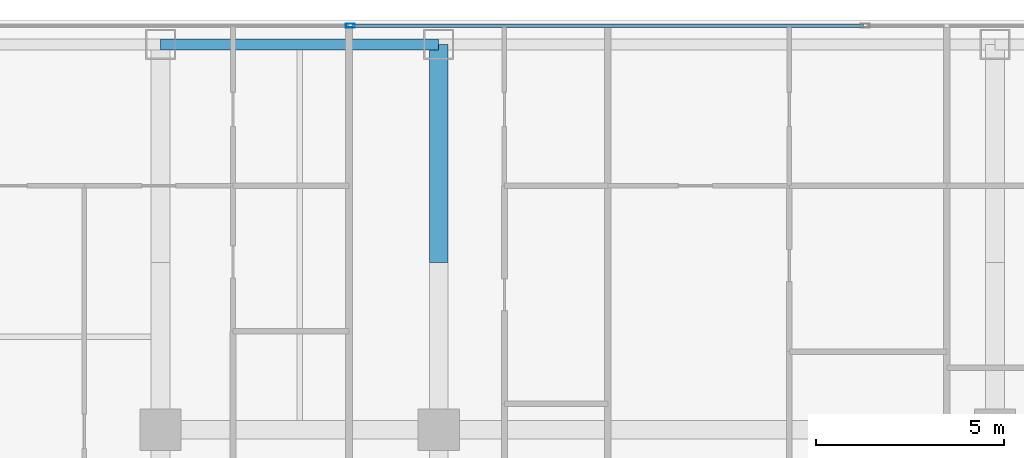
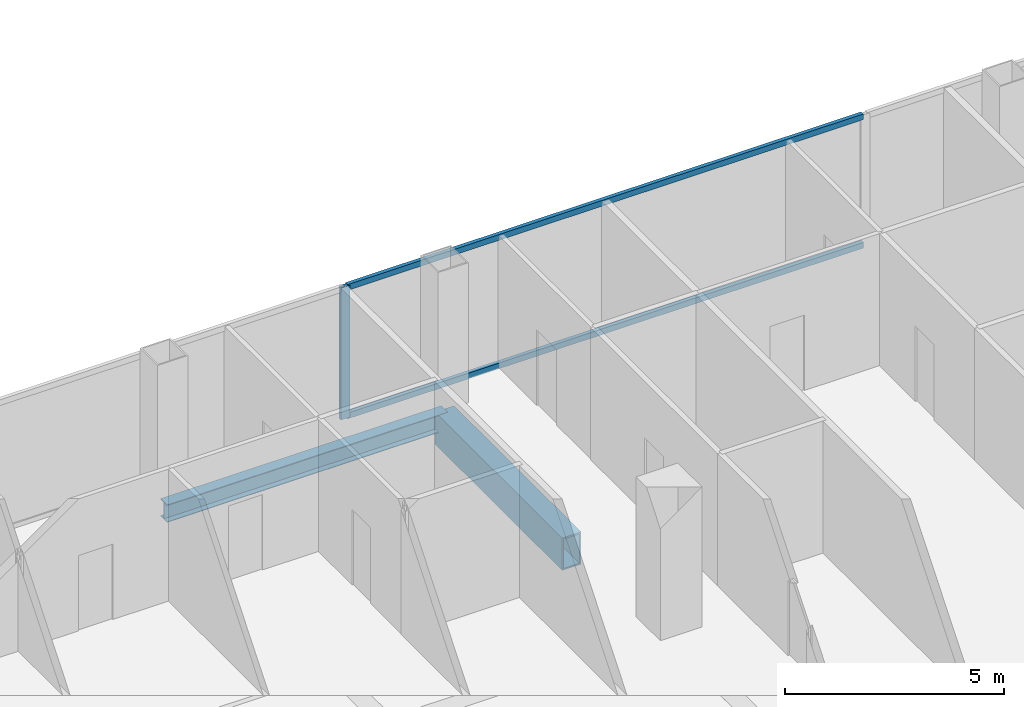
# One storey, part 12 of 29: 3 members, 2 beams, 1 element without a shape of its own.
"""IFC4 building model written with IfcOpenShell, lengths in metres."""

from ifc_helpers import new_model, si_unit, direction, frame, origin, origin_2d, place, context, subcontext, project, spatial, hollow_rectangle, i_section, extrude, material, layer, layer_set, material_profile, profile_set, type_object, element, aggregate, save


model = new_model("IFC4")

# Units and contexts
model_context = context("Model", 3, precision=1e-05, world=origin(), true_north=direction((0.0, 1.0)))
body_context = subcontext(model_context, "Body", "Model", "MODEL_VIEW")
ifc_project = project(units=[si_unit("LENGTHUNIT", "METRE"), si_unit("AREAUNIT", "SQUARE_METRE"), si_unit("VOLUMEUNIT", "CUBIC_METRE"), si_unit("PLANEANGLEUNIT", "RADIAN"), si_unit("MASSUNIT", "GRAM", prefix="KILO")], contexts=[model_context])

# Site, building, storey
site_placement = place(None, origin())
site = spatial("IfcSite", under=ifc_project, at=site_placement, CompositionType="ELEMENT")
building_placement = place(site_placement, origin())
building = spatial("IfcBuilding", under=site, at=building_placement, Name="Khorvyn Point Tower", CompositionType="ELEMENT")
storey_placement = place(building_placement, frame((0.0, 0.0, 85.199951171875)))
storey = spatial("IfcBuildingStorey", under=building, at=storey_placement, Name="L21", CompositionType="ELEMENT", Elevation=85.199951171875)

# Curtain wall, members
ifc_material_1 = material(Name="Anodised aluminium 6063-T6 and laminated Low-E glass", Category="aluminium")
ifc_layer = layer(ifc_material_1, 0.18994140625)
ifc_layer_set = layer_set([ifc_layer], Name="Stick-Built Finned Residential Curtain Wall CW-SYS-02")
curtain_wall_type = type_object("IfcCurtainWallType", Name="Stick-Built Finned Residential Curtain Wall CW-SYS-02", PredefinedType="NOTDEFINED", material=ifc_layer_set)
curtain_wall_placement = place(storey_placement, origin())
curtain_wall = element("IfcCurtainWall", 1, at=curtain_wall_placement, inside=storey, type_object=curtain_wall_type, Name="Curtain Wall", PredefinedType="NOTDEFINED")
ifc_material_2 = material(Name="Anodised aluminium 6063-T6", Category="aluminium")
ifc_material_profile_1 = material_profile(ifc_material_2, hollow_rectangle(XDim=0.10009765625, YDim=0.239990234375, WallThickness=0.0048828125, at=origin_2d()))
ifc_profile_set_1 = profile_set([ifc_material_profile_1], Name="Anodised aluminium 6063-T6 ALU-MUL-100x240")
member_type_1 = type_object("IfcMemberType", Name="Anodised Aluminium 6063-T6 Mullion ALU-MUL-100x240", PredefinedType="MULLION", material=ifc_profile_set_1)
member_1_placement = place(storey_placement, frame((-9.75, 30.85009765625, 0.0), z_axis=(0.0, 0.0, 1.0), x_axis=(0.0, 1.0, 0.0)))
member_1 = element("IfcMember", 2, at=member_1_placement, type_object=member_type_1, Name="Transom", PredefinedType="MULLION", context=body_context, shape_type="SweptSolid", body=[
    extrude(hollow_rectangle(XDim=0.10009765625, YDim=0.239990234375, WallThickness=0.0048828125, at=origin_2d()), origin(), (0.0, 0.0, 1.0), 3.679931640625),
])
ifc_material_profile_2 = material_profile(ifc_material_2, hollow_rectangle(XDim=0.10009765625, YDim=0.159912109375, WallThickness=0.00439453125, at=origin_2d()))
ifc_profile_set_2 = profile_set([ifc_material_profile_2], Name="Anodised aluminium 6063-T6 ALU-TRN-100x160")
member_type_2 = type_object("IfcMemberType", Name="Anodised Aluminium 6063-T6 Transom ALU-TRN-100x160", PredefinedType="USERDEFINED", material=ifc_profile_set_2)
member_2_placement = place(storey_placement, frame((-9.699951171875, 30.85009765625, 0.050048828125), z_axis=(1.0, 0.0, 0.0), x_axis=(0.0, 1.0, 0.0)))
member_2 = element("IfcMember", 3, at=member_2_placement, type_object=member_type_2, Name="Transom", ObjectType="TRANSOM", PredefinedType="USERDEFINED", context=body_context, shape_type="SweptSolid", body=[
    extrude(hollow_rectangle(XDim=0.10009765625, YDim=0.159912109375, WallThickness=0.00439453125, at=origin_2d()), origin(), (0.0, 0.0, 1.0), 13.599853515625),
])
member_3_placement = place(storey_placement, frame((-9.699951171875, 30.85009765625, 3.630126953125), z_axis=(1.0, 0.0, 0.0), x_axis=(0.0, 1.0, 0.0)))
member_3 = element("IfcMember", 4, at=member_3_placement, type_object=member_type_2, Name="Transom", ObjectType="TRANSOM", PredefinedType="USERDEFINED", context=body_context, shape_type="SweptSolid", body=[
    extrude(hollow_rectangle(XDim=0.10009765625, YDim=0.159912109375, WallThickness=0.00439453125, at=origin_2d()), origin(), (0.0, 0.0, 1.0), 13.599853515625),
])
aggregate(curtain_wall, [member_1, member_2, member_3])

# Beams
ifc_material_3 = material(Name="Steel S355", Category="steel")
ifc_material_profile_3 = material_profile(ifc_material_3, i_section(OverallWidth=0.300048828125, OverallDepth=0.488037109375, WebThickness=0.010986328125, FlangeThickness=0.01806640625, at=origin_2d()))
ifc_profile_set_3 = profile_set([ifc_material_profile_3], Name="Steel S355 H488x300x11x18")
beam_type_1 = type_object("IfcBeamType", Name="Steel S355 Spandrel H488x300x11x18", PredefinedType="SPANDREL", material=ifc_profile_set_3)
beam_1_placement = place(storey_placement, frame((-14.800048828125, 30.35009765625, -0.52392578125), z_axis=(1.0, 0.0, 0.0), x_axis=(0.0, 1.0, 0.0)))
element("IfcBeam", 5, at=beam_1_placement, inside=storey, type_object=beam_type_1, Name="Beam", PredefinedType="SPANDREL", context=body_context, shape_type="SweptSolid", body=[
    extrude(i_section(OverallWidth=0.300048828125, OverallDepth=0.488037109375, WebThickness=0.010986328125, FlangeThickness=0.01806640625, at=origin_2d()), origin(), (0.0, 0.0, 1.0), 7.400146484375),
])
ifc_material_4 = material(Name="Steel S450", Category="steel")
ifc_material_profile_4 = material_profile(ifc_material_4, hollow_rectangle(XDim=0.5, YDim=0.89990234375, WallThickness=0.0400390625, at=origin_2d()))
ifc_profile_set_4 = profile_set([ifc_material_profile_4], Name="Steel S450 BOX900x500x40")
beam_type_2 = type_object("IfcBeamType", Name="Steel S450 Beam BOX900x500x40", PredefinedType="BEAM", material=ifc_profile_set_4)
beam_2_placement = place(storey_placement, frame((-7.39990234375, 24.550048828125, -0.72998046875), z_axis=(0.0, 1.0, 0.0), x_axis=(-1.0, 0.0, 0.0)))
element("IfcBeam", 6, at=beam_2_placement, inside=storey, type_object=beam_type_2, Name="Beam", PredefinedType="BEAM", context=body_context, shape_type="SweptSolid", body=[
    extrude(hollow_rectangle(XDim=0.5, YDim=0.89990234375, WallThickness=0.0400390625, at=origin_2d()), origin(), (0.0, 0.0, 1.0), 5.800048828125),
])

save(model, "model.ifc")
